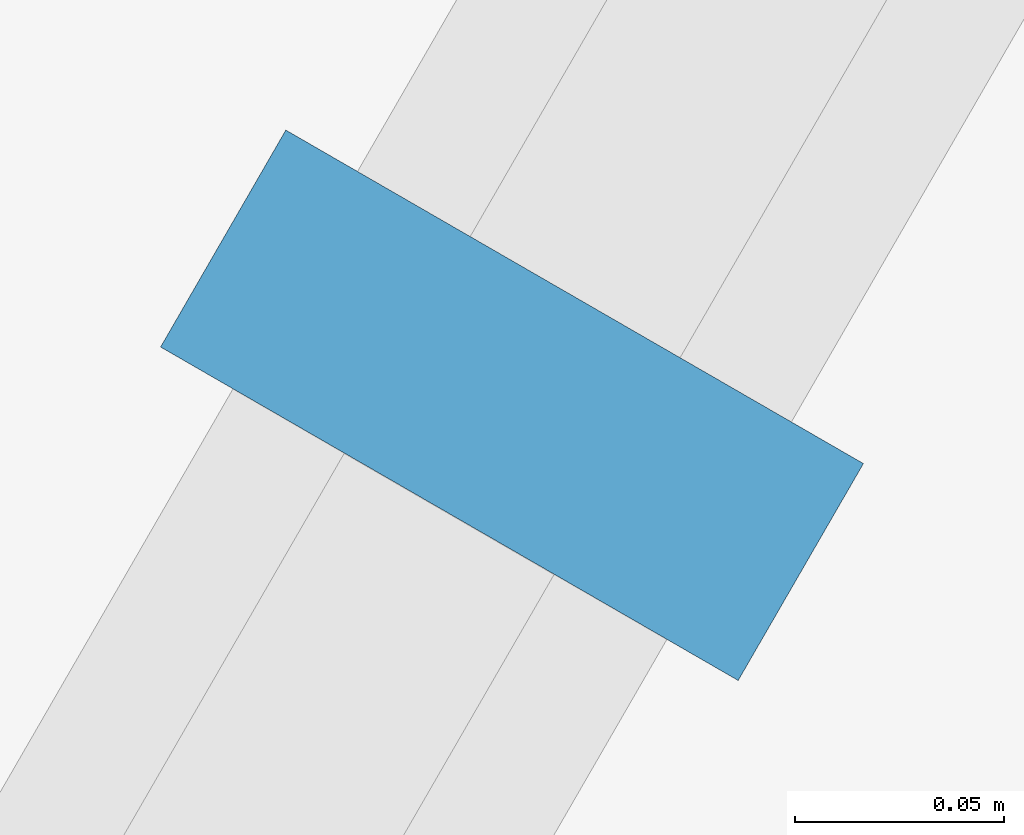
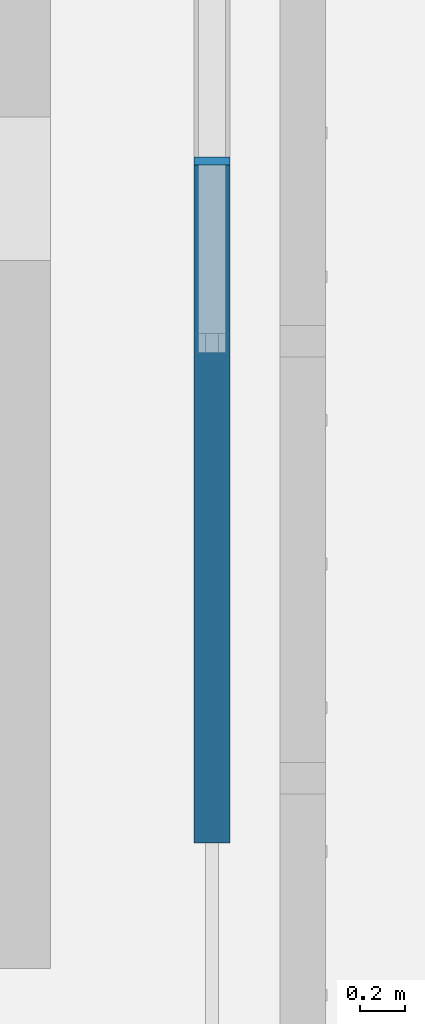
# One storey, part 50 of 127: 1 member, 1 element without a shape of its own.
"""IFC4 building model written with IfcOpenShell, lengths in metres."""

from ifc_helpers import new_model, si_unit, direction, frame, origin, origin_2d, place, context, subcontext, project, spatial, rectangle, extrude, material, material_profile, profile_set, type_object, element, aggregate, save


model = new_model("IFC4")

# Units and contexts
model_context = context("Model", 3, precision=1e-05, world=origin(), true_north=direction((0.0, 1.0)))
body_context = subcontext(model_context, "Body", "Model", "MODEL_VIEW")
ifc_project = project(units=[si_unit("LENGTHUNIT", "METRE"), si_unit("AREAUNIT", "SQUARE_METRE"), si_unit("VOLUMEUNIT", "CUBIC_METRE"), si_unit("PLANEANGLEUNIT", "RADIAN"), si_unit("MASSUNIT", "GRAM", prefix="KILO")], contexts=[model_context])

# Site, building, storey
site_placement = place(None, origin())
site = spatial("IfcSite", under=ifc_project, at=site_placement, CompositionType="ELEMENT")
building_placement = place(site_placement, origin())
building = spatial("IfcBuilding", under=site, at=building_placement, Name="Sandreach Pilgrim Tower", CompositionType="ELEMENT")
storey_placement = place(building_placement, frame((0.0, 0.0, 257.0)))
storey = spatial("IfcBuildingStorey", under=building, at=storey_placement, Name="L64", CompositionType="ELEMENT", Elevation=257.0)

# Curtain wall, member
ifc_material_1 = material(Name="Aluminium framed curtain wall", Category="aluminium")
curtain_wall_type = type_object("IfcCurtainWallType", Name="Suite tower curtain wall", PredefinedType="NOTDEFINED", material=ifc_material_1)
curtain_wall_placement = place(storey_placement, origin())
curtain_wall = element("IfcCurtainWall", 1, at=curtain_wall_placement, inside=storey, type_object=curtain_wall_type, Name="CW-4 L64 SE", PredefinedType="NOTDEFINED")
ifc_material_2 = material(Name="Aluminium extrusion", Category="aluminium")
ifc_material_profile = material_profile(ifc_material_2, rectangle(XDim=0.06005859375, YDim=0.159912109375, at=origin_2d()), Name="CW-4M 60X160")
ifc_profile_set = profile_set([ifc_material_profile], Name="Aluminium extrusion")
member_type = type_object("IfcMemberType", Name="CW-4 mullion", PredefinedType="MULLION", material=ifc_profile_set)
member_placement = place(storey_placement, frame((21.697509765625, -2.071533203125, 0.0), z_axis=(0.0, 0.0, 1.0), x_axis=(-0.5, -0.866025403784, 0.0)))
member = element("IfcMember", 2, at=member_placement, type_object=member_type, Name="CW-4 mullion 3", PredefinedType="MULLION", context=body_context, shape_type="SweptSolid", body=[
    extrude(rectangle(XDim=0.06005859375, YDim=0.159912109375, at=origin_2d()), origin(), (0.0, 0.0, 1.0), 3.639892578125),
])
aggregate(curtain_wall, [member])

save(model, "model.ifc")
